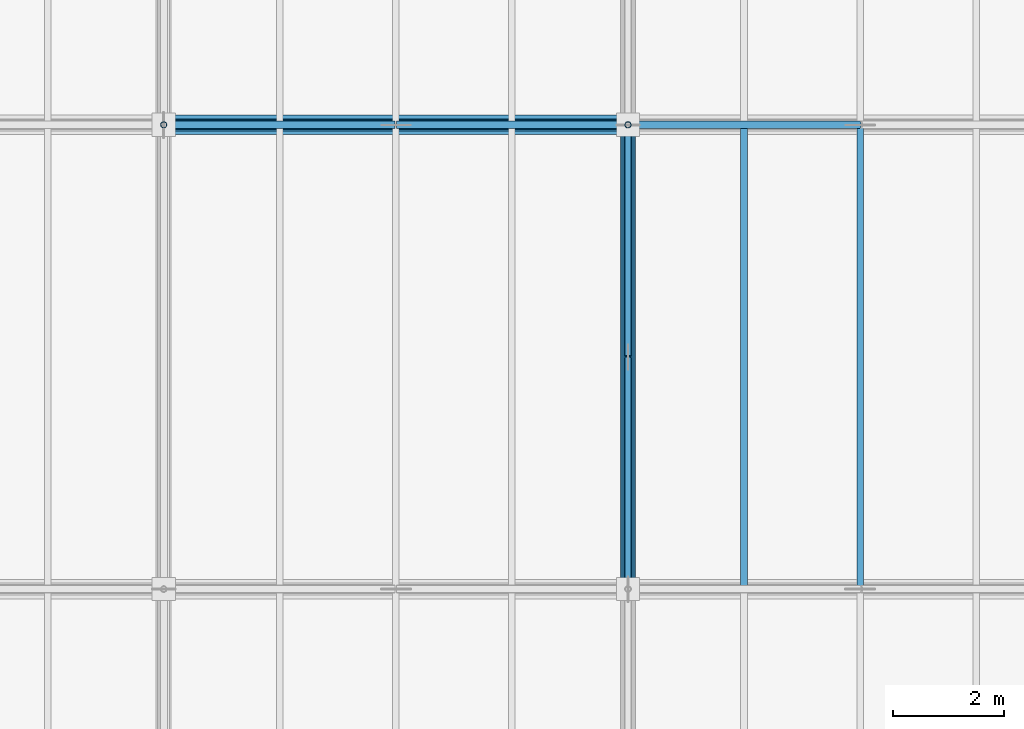
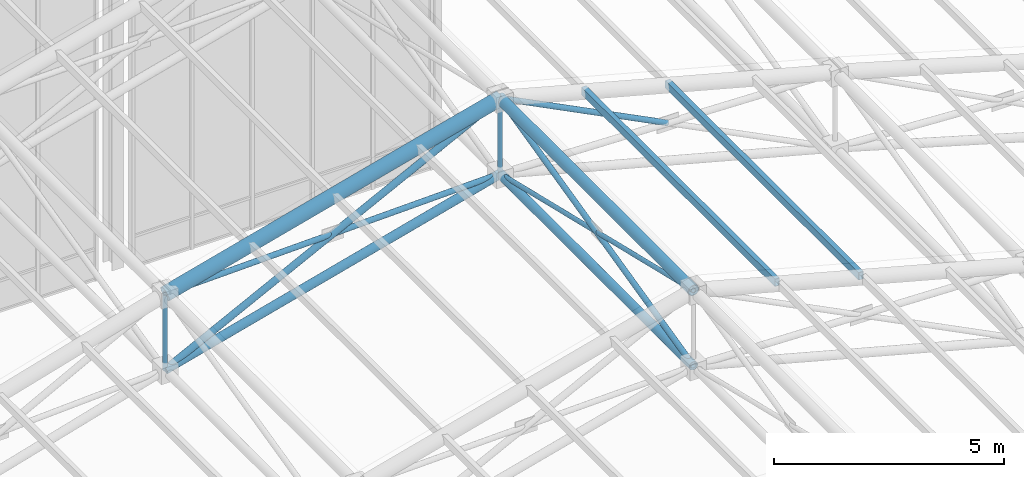
# One storey, part 53 of 144: 15 members.
"""IFC4 building model written with IfcOpenShell, lengths in metres."""

from ifc_helpers import new_model, si_unit, direction, frame, origin, origin_2d, place, context, subcontext, project, spatial, hollow_rectangle, hollow_circle, extrude, material, material_profile, profile_set, type_object, element, save


model = new_model("IFC4")

# Units and contexts
model_context = context("Model", 3, precision=1e-05, world=origin(), true_north=direction((0.0, 1.0)))
body_context = subcontext(model_context, "Body", "Model", "MODEL_VIEW")
ifc_project = project(units=[si_unit("LENGTHUNIT", "METRE"), si_unit("AREAUNIT", "SQUARE_METRE"), si_unit("VOLUMEUNIT", "CUBIC_METRE"), si_unit("PLANEANGLEUNIT", "RADIAN"), si_unit("MASSUNIT", "GRAM", prefix="KILO")], contexts=[model_context])

# Site, building, storey
site_placement = place(None, origin())
site = spatial("IfcSite", under=ifc_project, at=site_placement, CompositionType="ELEMENT")
building_placement = place(site_placement, origin())
building = spatial("IfcBuilding", under=site, at=building_placement, Name="Zayran Congress Hotel", CompositionType="ELEMENT")
storey_placement = place(building_placement, frame((0.0, 0.0, 19.199951171875)))
storey = spatial("IfcBuildingStorey", under=building, at=storey_placement, Name="L04", CompositionType="ELEMENT", Elevation=19.199951171875)

# Members
ifc_material = material(Name="Steel S355", Category="steel")
ifc_material_profile_1 = material_profile(ifc_material, hollow_circle(Radius=0.177734375, WallThickness=0.01611328125, at=origin_2d()), Name="CHS 355.6x16")
ifc_profile_set_1 = profile_set([ifc_material_profile_1], Name="Steel S355")
member_type_1 = type_object("IfcMemberType", Name="TP-SF-TC1", PredefinedType="CHORD", material=ifc_profile_set_1)
member_1_placement = place(storey_placement, frame((42.0, 92.800048828125, 12.35205078125), z_axis=(0.965947299715, 0.0, 0.258738891884), x_axis=(0.0, 1.0, 0.0)))
element("IfcMember", 1, at=member_1_placement, inside=storey, type_object=member_type_1, Name="Space Frame Top Chord X 243", PredefinedType="CHORD", context=body_context, shape_type="SweptSolid", body=[
    extrude(hollow_circle(Radius=0.177734375, WallThickness=0.01611328125, at=origin_2d()), origin(), (0.0, 0.0, 1.0), 8.696044921875),
])
ifc_material_profile_2 = material_profile(ifc_material, hollow_circle(Radius=0.136474609375, WallThickness=0.012451171875, at=origin_2d()), Name="CHS 273x12.5")
ifc_profile_set_2 = profile_set([ifc_material_profile_2], Name="Steel S355")
member_type_2 = type_object("IfcMemberType", Name="TP-SF-TC2", PredefinedType="CHORD", material=ifc_profile_set_2)
member_2_placement = place(storey_placement, frame((50.39990234375, 84.39990234375, 14.60205078125), z_axis=(0.0, 1.0, 0.0), x_axis=(-1.0, 0.0, 0.0)))
element("IfcMember", 2, at=member_2_placement, inside=storey, type_object=member_type_2, Name="Space Frame Top Chord Y 294", PredefinedType="CHORD", context=body_context, shape_type="SweptSolid", body=[
    extrude(hollow_circle(Radius=0.136474609375, WallThickness=0.012451171875, at=origin_2d()), origin(), (0.0, 0.0, 1.0), 8.400146484375),
])
ifc_material_profile_3 = material_profile(ifc_material, hollow_circle(Radius=0.109619140625, WallThickness=0.010009765625, at=origin_2d()), Name="CHS 219.1x10")
ifc_profile_set_3 = profile_set([ifc_material_profile_3], Name="Steel S355")
member_type_3 = type_object("IfcMemberType", Name="TP-SF-BC1", PredefinedType="CHORD", material=ifc_profile_set_3)
member_3_placement = place(storey_placement, frame((42.0, 92.800048828125, 10.35009765625), z_axis=(0.965947299715, 0.0, 0.258738891884), x_axis=(0.0, 1.0, 0.0)))
element("IfcMember", 3, at=member_3_placement, inside=storey, type_object=member_type_3, Name="Space Frame Bottom Chord X 244", PredefinedType="CHORD", context=body_context, shape_type="SweptSolid", body=[
    extrude(hollow_circle(Radius=0.109619140625, WallThickness=0.010009765625, at=origin_2d()), origin(), (0.0, 0.0, 1.0), 8.696044921875),
])
member_4_placement = place(storey_placement, frame((50.39990234375, 84.39990234375, 12.60009765625), z_axis=(0.0, 1.0, 0.0), x_axis=(-1.0, 0.0, 0.0)))
element("IfcMember", 4, at=member_4_placement, inside=storey, type_object=member_type_3, Name="Space Frame Bottom Chord Y 295", PredefinedType="CHORD", context=body_context, shape_type="SweptSolid", body=[
    extrude(hollow_circle(Radius=0.109619140625, WallThickness=0.010009765625, at=origin_2d()), origin(), (0.0, 0.0, 1.0), 8.400146484375),
])
ifc_material_profile_4 = material_profile(ifc_material, hollow_circle(Radius=0.084228515625, WallThickness=0.008056640625, at=origin_2d()), Name="CHS 168.3x8")
ifc_profile_set_4 = profile_set([ifc_material_profile_4], Name="Steel S355")
member_type_4 = type_object("IfcMemberType", Name="TP-SF-DG1", PredefinedType="BRACE", material=ifc_profile_set_4)
member_5_placement = place(storey_placement, frame((42.0, 92.800048828125, 10.35009765625), z_axis=(0.892206892975, 0.0, 0.451626903681), x_axis=(0.0, 1.0, 0.0)))
element("IfcMember", 5, at=member_5_placement, inside=storey, type_object=member_type_4, Name="Space Frame Web Diagonal X 245", PredefinedType="BRACE", context=body_context, shape_type="SweptSolid", body=[
    extrude(hollow_circle(Radius=0.084228515625, WallThickness=0.008056640625, at=origin_2d()), origin(), (0.0, 0.0, 1.0), 9.414794921875),
])
ifc_material_profile_5 = material_profile(ifc_material, hollow_circle(Radius=0.06982421875, WallThickness=0.00634765625, at=origin_2d()), Name="CHS 139.7x6.3")
ifc_profile_set_5 = profile_set([ifc_material_profile_5], Name="Steel S355")
member_type_5 = type_object("IfcMemberType", Name="TP-SF-DG2", PredefinedType="BRACE", material=ifc_profile_set_5)
member_6_placement = place(storey_placement, frame((42.0, 92.800048828125, 12.35205078125), z_axis=(0.999564624123, 0.0, 0.029505291087), x_axis=(0.0, 1.0, 0.0)))
element("IfcMember", 6, at=member_6_placement, inside=storey, type_object=member_type_5, Name="Space Frame Counter Diagonal X Upper 246", PredefinedType="BRACE", context=body_context, shape_type="SweptSolid", body=[
    extrude(hollow_circle(Radius=0.06982421875, WallThickness=0.00634765625, at=origin_2d()), origin(), (0.0, 0.0, 1.0), 4.186767578125),
])
member_7_placement = place(storey_placement, frame((46.215087890625, 92.800048828125, 12.4765625), z_axis=(0.999564573355, 0.0, 0.029507010916), x_axis=(0.0, 1.0, 0.0)))
element("IfcMember", 7, at=member_7_placement, inside=storey, type_object=member_type_5, Name="Space Frame Counter Diagonal X Lower 38", PredefinedType="BRACE", context=body_context, shape_type="SweptSolid", body=[
    extrude(hollow_circle(Radius=0.06982421875, WallThickness=0.00634765625, at=origin_2d()), origin(), (0.0, 0.0, 1.0), 4.1865234375),
])
member_8_placement = place(storey_placement, frame((50.39990234375, 84.39990234375, 12.60009765625), z_axis=(0.0, 0.972756139537, 0.231830742122), x_axis=(-1.0, 0.0, 0.0)))
element("IfcMember", 8, at=member_8_placement, inside=storey, type_object=member_type_5, Name="Space Frame Web Diagonal Y 296", PredefinedType="BRACE", context=body_context, shape_type="SweptSolid", body=[
    extrude(hollow_circle(Radius=0.06982421875, WallThickness=0.00634765625, at=origin_2d()), origin(), (0.0, 0.0, 1.0), 8.635498046875),
])
member_9_placement = place(storey_placement, frame((50.39990234375, 92.800048828125, 14.60205078125), z_axis=(0.892220848392, 0.0, -0.451599333142), x_axis=(0.0, 1.0, 0.0)))
element("IfcMember", 9, at=member_9_placement, inside=storey, type_object=member_type_5, Name="Space Frame Counter Diagonal X Upper 302", PredefinedType="BRACE", context=body_context, shape_type="SweptSolid", body=[
    extrude(hollow_circle(Radius=0.06982421875, WallThickness=0.00634765625, at=origin_2d()), origin(), (0.0, 0.0, 1.0), 4.692626953125),
])
ifc_material_profile_6 = material_profile(ifc_material, hollow_circle(Radius=0.05712890625, WallThickness=0.00634765625, at=origin_2d()), Name="CHS 114.3x6.3")
ifc_profile_set_6 = profile_set([ifc_material_profile_6], Name="Steel S355")
member_type_6 = type_object("IfcMemberType", Name="TP-SF-DG3", PredefinedType="BRACE", material=ifc_profile_set_6)
member_10_placement = place(storey_placement, frame((42.0, 92.800048828125, 10.35009765625), z_axis=(0.0, 0.0, 1.0), x_axis=(0.0, 1.0, 0.0)))
element("IfcMember", 10, at=member_10_placement, inside=storey, type_object=member_type_6, Name="Space Frame Web Strut 250", PredefinedType="BRACE", context=body_context, shape_type="SweptSolid", body=[
    extrude(hollow_circle(Radius=0.05712890625, WallThickness=0.00634765625, at=origin_2d()), origin(), (0.0, 0.0, 1.0), 2.001953125),
])
for number, where, z_axis, x_axis, name in (
    (11, (50.39990234375, 84.39990234375, 14.60205078125), (0.0, 0.972753833003, -0.231840420068), (-1.0, 0.0, 0.0), "Space Frame Bracing Diagonal Y Upper 297"),
    (12, (50.39990234375, 88.614501953125, 13.59765625), (0.0, 0.972753833003, -0.231840420068), (-1.0, 0.0, 0.0), "Space Frame Bracing Diagonal Y Lower 47"),
):
    element("IfcMember", number, at=place(storey_placement, frame(where, z_axis=z_axis, x_axis=x_axis)), inside=storey, type_object=member_type_6, Name=name, PredefinedType="BRACE", context=body_context, shape_type="SweptSolid", body=[
        extrude(hollow_circle(Radius=0.05712890625, WallThickness=0.00634765625, at=origin_2d()), origin(), (0.0, 0.0, 1.0), 4.302734375),
    ])
member_11_placement = place(storey_placement, frame((50.39990234375, 92.800048828125, 12.60009765625), z_axis=(0.0, 0.0, 1.0), x_axis=(0.0, 1.0, 0.0)))
element("IfcMember", 13, at=member_11_placement, inside=storey, type_object=member_type_6, Name="Space Frame Web Strut 307", PredefinedType="BRACE", context=body_context, shape_type="SweptSolid", body=[
    extrude(hollow_circle(Radius=0.05712890625, WallThickness=0.00634765625, at=origin_2d()), origin(), (0.0, 0.0, 1.0), 2.001953125),
])
ifc_material_profile_7 = material_profile(ifc_material, hollow_rectangle(XDim=0.1201171875, YDim=0.199951171875, WallThickness=0.008056640625, at=origin_2d()), Name="RHS 200x120x8")
ifc_profile_set_7 = profile_set([ifc_material_profile_7], Name="Steel S355")
member_type_7 = type_object("IfcMemberType", Name="TP-PR-01", PredefinedType="PURLIN", material=ifc_profile_set_7)
for number, where, z_axis, x_axis, name in (
    (14, (52.5, 84.39990234375, 14.08154296875), (0.0, 1.0, 0.0), (-1.0, 0.0, 0.0), "MEM-PR-V1-0093"),
    (15, (54.60009765625, 84.39990234375, 13.51904296875), (0.0, 1.0, 0.0), (-1.0, 0.0, 0.0), "MEM-PR-V1-0099"),
):
    element("IfcMember", number, at=place(storey_placement, frame(where, z_axis=z_axis, x_axis=x_axis)), inside=storey, type_object=member_type_7, Name=name, PredefinedType="PURLIN", context=body_context, shape_type="SweptSolid", body=[
        extrude(hollow_rectangle(XDim=0.1201171875, YDim=0.199951171875, WallThickness=0.008056640625, at=origin_2d()), origin(), (0.0, 0.0, 1.0), 8.400146484375),
    ])

save(model, "model.ifc")
